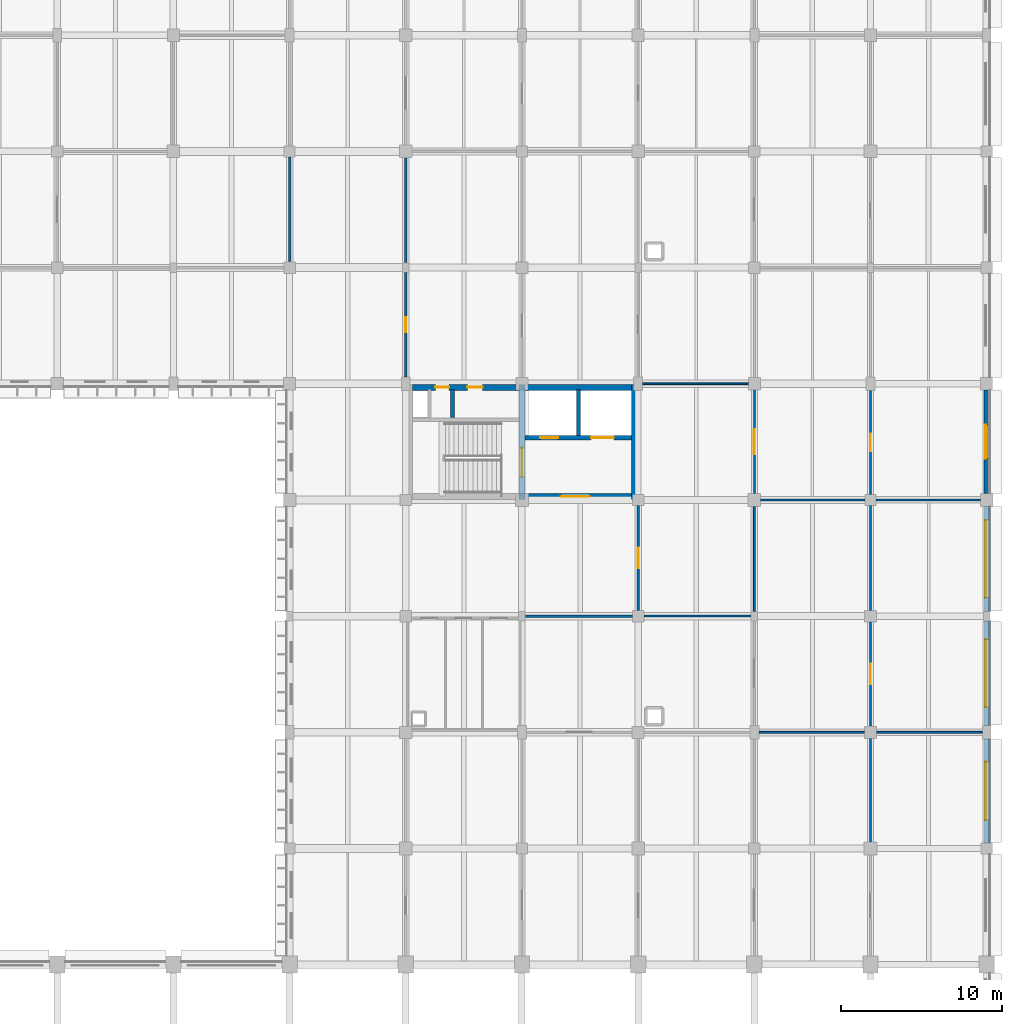
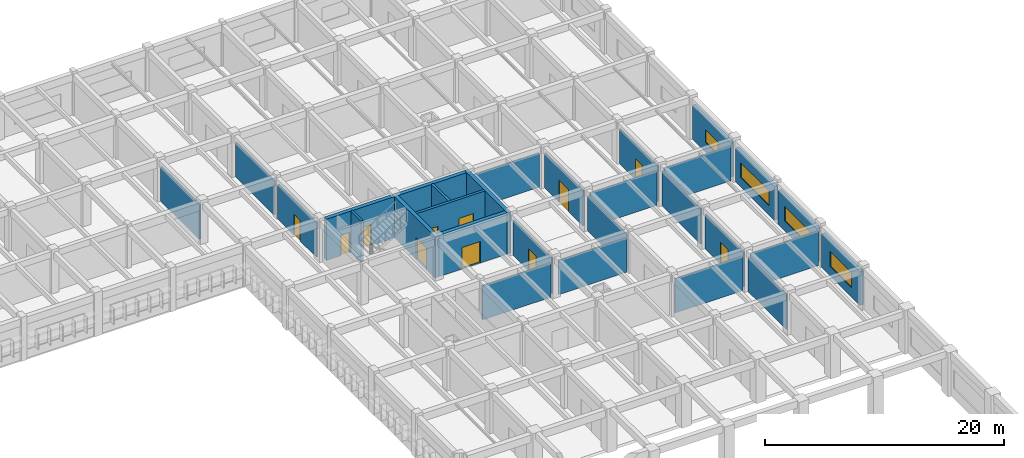
# One storey, part 51 of 61: 29 walls, 11 doors, 4 windows, 15 openings.
"""IFC4 building model written with IfcOpenShell, lengths in metres."""

from ifc_helpers import new_model, si_unit, direction, frame, frame_2d, origin, place, context, subcontext, project, spatial, rectangle, extrude, material, layer, layer_set, type_object, element, fill, save


model = new_model("IFC4")

# Units and contexts
model_context = context("Model", 3, precision=1e-05, world=origin(), true_north=direction((0.0, 1.0)))
body_context = subcontext(model_context, "Body", "Model", "MODEL_VIEW")
ifc_project = project(units=[si_unit("LENGTHUNIT", "METRE"), si_unit("AREAUNIT", "SQUARE_METRE"), si_unit("VOLUMEUNIT", "CUBIC_METRE"), si_unit("PLANEANGLEUNIT", "RADIAN"), si_unit("MASSUNIT", "GRAM", prefix="KILO")], contexts=[model_context])

# Site, building, storey
site_placement = place(None, origin())
site = spatial("IfcSite", under=ifc_project, at=site_placement, CompositionType="ELEMENT")
building_placement = place(site_placement, origin())
building = spatial("IfcBuilding", under=site, at=building_placement, Name="Thalmaran Polytechnic", CompositionType="ELEMENT")
storey_placement = place(building_placement, frame((0.0, 0.0, 9.89990234375)))
storey = spatial("IfcBuildingStorey", under=building, at=storey_placement, Name="L02", CompositionType="ELEMENT", Elevation=9.89990234375)

# Wall, opening, window
ifc_material_1 = material(Name="Precast concrete C40/50", Category="concrete")
ifc_layer_1 = layer(ifc_material_1, 0.330078125, Name="Precast concrete C40/50")
ifc_layer_set_1 = layer_set([ifc_layer_1], Name="Precast concrete C40/50")
wall_type_1 = type_object("IfcWallType", Name="WL-EW02", PredefinedType="STANDARD", material=ifc_layer_set_1)
wall_1_placement = place(storey_placement, frame((172.800048828125, 93.22509765625, 0.0), z_axis=(0.0, 0.0, 1.0), x_axis=(0.0, -1.0, 0.0)))
wall_1 = element("IfcWall", 1, at=wall_1_placement, inside=storey, type_object=wall_type_1, Name="Exterior Precast Facade Wall L02-056", PredefinedType="STANDARD", context=body_context, shape_type="SweptSolid", body=[
    extrude(rectangle(XDim=6.43505859375, YDim=0.330078125, at=frame_2d((3.217529296875, 0.0))), origin(), (0.0, 0.0, 1.0), 3.47021484375),
])
opening_1_placement = place(wall_1_placement, frame((2.16748046875, 0.0, 0.97998046875)))
opening_1 = element("IfcOpeningElement", 2, at=opening_1_placement, cuts=wall_1, Name="Opening VW20", PredefinedType="OPENING", context=body_context, shape_type="SweptSolid", body=[
    extrude(rectangle(XDim=2.10009765625, YDim=1.300048828125, at=frame_2d((1.050048828125, 0.64990234375))), frame((0.0, 0.175048828125, 0.0), z_axis=(0.0, -1.0, 0.0), x_axis=(1.0, 0.0, 0.0)), (0.0, 0.0, 1.0), 0.35009765625),
])
ifc_material_2 = material(Name="Thermally broken aluminium and double low-E glass", Category="aluminium")
window_type_1 = type_object("IfcWindowType", Name="WN-VZ20", PartitioningType="SINGLE_PANEL", PredefinedType="WINDOW", material=ifc_material_2)
window_1_placement = place(opening_1_placement, origin())
window_1 = element("IfcWindow", 3, at=window_1_placement, inside=storey, type_object=window_type_1, Name="Streamline Ribbon Window W-0256", OverallHeight=1.300048828125, OverallWidth=2.10009765625, PartitioningType="SINGLE_PANEL", PredefinedType="WINDOW", context=body_context, shape_type="SweptSolid", body=[
    extrude(rectangle(XDim=2.10009765625, YDim=1.300048828125, at=frame_2d((1.050048828125, 0.64990234375))), frame((0.0, -0.030029296875, 0.0), z_axis=(0.0, -1.0, 0.0), x_axis=(1.0, 0.0, 0.0)), (0.0, 0.0, 1.0), 0.06005859375),
])
fill(opening_1, window_1)

wall_2_placement = place(storey_placement, frame((172.800048828125, 86.010009765625, 0.0), z_axis=(0.0, 0.0, 1.0), x_axis=(0.0, -1.0, 0.0)))
wall_2 = element("IfcWall", 4, at=wall_2_placement, inside=storey, type_object=wall_type_1, Name="Exterior Precast Facade Wall L02-057", PredefinedType="STANDARD", context=body_context, shape_type="SweptSolid", body=[
    extrude(rectangle(XDim=6.510009765625, YDim=0.330078125, at=frame_2d((3.2548828125, 0.0))), origin(), (0.0, 0.0, 1.0), 3.47021484375),
])
opening_2_placement = place(wall_2_placement, frame((0.85498046875, 0.0, 0.97998046875)))
opening_2 = element("IfcOpeningElement", 5, at=opening_2_placement, cuts=wall_2, Name="Opening RW01", PredefinedType="OPENING", context=body_context, shape_type="SweptSolid", body=[
    extrude(rectangle(XDim=4.800048828125, YDim=1.5, at=frame_2d((2.39990234375, 0.75))), frame((0.0, 0.175048828125, 0.0), z_axis=(0.0, -1.0, 0.0), x_axis=(1.0, 0.0, 0.0)), (0.0, 0.0, 1.0), 0.35009765625),
])
window_type_2 = type_object("IfcWindowType", Name="WN-RW01", PartitioningType="TRIPLE_PANEL_HORIZONTAL", PredefinedType="WINDOW", material=ifc_material_2)
window_2_placement = place(opening_2_placement, origin())
window_2 = element("IfcWindow", 6, at=window_2_placement, inside=storey, type_object=window_type_2, Name="Streamline Ribbon Window W-0257", OverallHeight=1.5, OverallWidth=4.800048828125, PartitioningType="SINGLE_PANEL", PredefinedType="WINDOW", context=body_context, shape_type="SweptSolid", body=[
    extrude(rectangle(XDim=4.800048828125, YDim=1.5, at=frame_2d((2.39990234375, 0.75))), frame((0.0, -0.030029296875, 0.0), z_axis=(0.0, -1.0, 0.0), x_axis=(1.0, 0.0, 0.0)), (0.0, 0.0, 1.0), 0.06005859375),
])
fill(opening_2, window_2)

wall_3_placement = place(storey_placement, frame((172.800048828125, 78.89990234375, 0.0), z_axis=(0.0, 0.0, 1.0), x_axis=(0.0, -1.0, 0.0)))
wall_3 = element("IfcWall", 7, at=wall_3_placement, inside=storey, type_object=wall_type_1, Name="Exterior Precast Facade Wall L02-058", PredefinedType="STANDARD", context=body_context, shape_type="SweptSolid", body=[
    extrude(rectangle(XDim=6.474853515625, YDim=0.330078125, at=frame_2d((3.2373046875, 0.0))), origin(), (0.0, 0.0, 1.0), 3.47021484375),
])
opening_3_placement = place(wall_3_placement, frame((1.137451171875, 0.0, 0.97998046875)))
opening_3 = element("IfcOpeningElement", 8, at=opening_3_placement, cuts=wall_3, Name="Opening RW02", PredefinedType="OPENING", context=body_context, shape_type="SweptSolid", body=[
    extrude(rectangle(XDim=4.199951171875, YDim=1.5, at=frame_2d((2.10009765625, 0.75))), frame((0.0, 0.175048828125, 0.0), z_axis=(0.0, -1.0, 0.0), x_axis=(1.0, 0.0, 0.0)), (0.0, 0.0, 1.0), 0.35009765625),
])
window_type_3 = type_object("IfcWindowType", Name="WN-RW02", PartitioningType="TRIPLE_PANEL_HORIZONTAL", PredefinedType="WINDOW", material=ifc_material_2)
window_3_placement = place(opening_3_placement, origin())
window_3 = element("IfcWindow", 9, at=window_3_placement, inside=storey, type_object=window_type_3, Name="Streamline Ribbon Window W-0258", OverallHeight=1.5, OverallWidth=4.199951171875, PartitioningType="SINGLE_PANEL", PredefinedType="WINDOW", context=body_context, shape_type="SweptSolid", body=[
    extrude(rectangle(XDim=4.199951171875, YDim=1.5, at=frame_2d((2.10009765625, 0.75))), frame((0.0, -0.030029296875, 0.0), z_axis=(0.0, -1.0, 0.0), x_axis=(1.0, 0.0, 0.0)), (0.0, 0.0, 1.0), 0.06005859375),
])
fill(opening_3, window_3)

wall_4_placement = place(storey_placement, frame((172.800048828125, 71.574951171875, 0.0), z_axis=(0.0, 0.0, 1.0), x_axis=(0.0, -1.0, 0.0)))
wall_4 = element("IfcWall", 10, at=wall_4_placement, inside=storey, type_object=wall_type_1, Name="Exterior Precast Facade Wall L02-059", PredefinedType="STANDARD", context=body_context, shape_type="SweptSolid", body=[
    extrude(rectangle(XDim=6.425048828125, YDim=0.330078125, at=frame_2d((3.21240234375, 0.0))), origin(), (0.0, 0.0, 1.0), 3.47021484375),
])
opening_4_placement = place(wall_4_placement, frame((1.41259765625, 0.0, 0.97998046875)))
opening_4 = element("IfcOpeningElement", 11, at=opening_4_placement, cuts=wall_4, Name="Opening RW03", PredefinedType="OPENING", context=body_context, shape_type="SweptSolid", body=[
    extrude(rectangle(XDim=3.60009765625, YDim=1.5, at=frame_2d((1.800048828125, 0.75))), frame((0.0, 0.175048828125, 0.0), z_axis=(0.0, -1.0, 0.0), x_axis=(1.0, 0.0, 0.0)), (0.0, 0.0, 1.0), 0.35009765625),
])
window_type_4 = type_object("IfcWindowType", Name="WN-RW03", PartitioningType="DOUBLE_PANEL_VERTICAL", PredefinedType="WINDOW", material=ifc_material_2)
window_4_placement = place(opening_4_placement, origin())
window_4 = element("IfcWindow", 12, at=window_4_placement, inside=storey, type_object=window_type_4, Name="Streamline Ribbon Window W-0259", OverallHeight=1.5, OverallWidth=3.60009765625, PartitioningType="SINGLE_PANEL", PredefinedType="WINDOW", context=body_context, shape_type="SweptSolid", body=[
    extrude(rectangle(XDim=3.60009765625, YDim=1.5, at=frame_2d((1.800048828125, 0.75))), frame((0.0, -0.030029296875, 0.0), z_axis=(0.0, -1.0, 0.0), x_axis=(1.0, 0.0, 0.0)), (0.0, 0.0, 1.0), 0.06005859375),
])
fill(opening_4, window_4)

# Walls
ifc_material_3 = material(Name="Autoclaved aerated masonry", Category="masonry")
ifc_layer_2 = layer(ifc_material_3, 0.25, Name="Autoclaved aerated masonry")
ifc_layer_set_2 = layer_set([ifc_layer_2], Name="Autoclaved aerated masonry")
wall_type_2 = type_object("IfcWallType", Name="WL-IW01", PredefinedType="PARTITIONING", material=ifc_layer_set_2)
wall_5_placement = place(storey_placement, frame((147.5, 90.3798828125, 0.0), z_axis=(0.0, 0.0, 1.0), x_axis=(0.0, 1.0, 0.0)))
element("IfcWall", 13, at=wall_5_placement, inside=storey, type_object=wall_type_2, Name="Core C5 Shaft Dividing Wall L02", PredefinedType="PARTITIONING", context=body_context, shape_type="SweptSolid", body=[
    extrude(rectangle(XDim=2.8701171875, YDim=0.25, at=frame_2d((1.43505859375, 0.0))), origin(), (0.0, 0.0, 1.0), 4.22509765625),
])
ifc_layer_3 = layer(ifc_material_3, 0.22998046875, Name="Autoclaved aerated masonry")
ifc_layer_set_3 = layer_set([ifc_layer_3], Name="Autoclaved aerated masonry")
wall_type_3 = type_object("IfcWallType", Name="WL-IW02", PredefinedType="PARTITIONING", material=ifc_layer_set_3)
wall_6_placement = place(storey_placement, frame((139.699951171875, 91.5, 0.0), z_axis=(0.0, 0.0, 1.0), x_axis=(0.0, 1.0, 0.0)))
element("IfcWall", 14, at=wall_6_placement, inside=storey, type_object=wall_type_3, Name="Core C5 Riser Partition L02", PredefinedType="PARTITIONING", context=body_context, shape_type="SweptSolid", body=[
    extrude(rectangle(XDim=1.739990234375, YDim=0.22998046875, at=frame_2d((0.8701171875, 0.0))), origin(), (0.0, 0.0, 1.0), 4.22509765625),
])
ifc_material_4 = material(Name="Gypsum acoustic partition")
ifc_layer_4 = layer(ifc_material_4, 0.14501953125, Name="Gypsum acoustic partition")
ifc_layer_set_4 = layer_set([ifc_layer_4], Name="Gypsum acoustic partition")
wall_type_4 = type_object("IfcWallType", Name="WL-IW06", PredefinedType="PARTITIONING", material=ifc_layer_set_4)
wall_7_placement = place(storey_placement, frame((129.60009765625, 101.1650390625, 0.0), z_axis=(0.0, 0.0, 1.0), x_axis=(0.0, 1.0, 0.0)))
element("IfcWall", 15, at=wall_7_placement, inside=storey, type_object=wall_type_4, Name="Interior Partition IW06 L02-109", PredefinedType="PARTITIONING", context=body_context, shape_type="SweptSolid", body=[
    extrude(rectangle(XDim=6.47998046875, YDim=0.14501953125, at=frame_2d((3.239990234375, 0.0))), origin(), (0.0, 0.0, 1.0), 3.530029296875),
])

# Wall, opening, door
wall_8_placement = place(storey_placement, frame((136.800048828125, 94.030029296875, 0.0), z_axis=(0.0, 0.0, 1.0), x_axis=(0.0, 1.0, 0.0)))
wall_8 = element("IfcWall", 16, at=wall_8_placement, inside=storey, type_object=wall_type_4, Name="Interior Partition IW06 L02-115", PredefinedType="PARTITIONING", context=body_context, shape_type="SweptSolid", body=[
    extrude(rectangle(XDim=6.465087890625, YDim=0.14501953125, at=frame_2d((3.232421875, 0.0))), origin(), (0.0, 0.0, 1.0), 3.5400390625),
])
opening_5_placement = place(wall_8_placement, frame((2.757568359375, 0.0, 0.0)))
opening_5 = element("IfcOpeningElement", 17, at=opening_5_placement, cuts=wall_8, Name="Opening D-L02-034-5-02-1", PredefinedType="OPENING", context=body_context, shape_type="SweptSolid", body=[
    extrude(rectangle(XDim=0.949951171875, YDim=2.14990234375, at=frame_2d((0.47509765625, 1.074951171875))), frame((0.0, 0.08251953125, 0.0), z_axis=(0.0, -1.0, 0.0), x_axis=(1.0, 0.0, 0.0)), (0.0, 0.0, 1.0), 0.1650390625),
])
ifc_material_5 = material(Name="Powder-coated fire-rated steel", Category="steel")
door_type_1 = type_object("IfcDoorType", Name="DR-FD08", OperationType="NOTDEFINED", PredefinedType="DOOR", material=ifc_material_5)
door_1_placement = place(opening_5_placement, origin())
door_1 = element("IfcDoor", 18, at=door_1_placement, inside=storey, type_object=door_type_1, Name="Seminar Room L02-02 Door 1", OperationType="SINGLE_SWING_LEFT", OverallHeight=2.14990234375, OverallWidth=0.949951171875, PredefinedType="DOOR", context=body_context, shape_type="SweptSolid", body=[
    extrude(rectangle(XDim=0.949951171875, YDim=2.14990234375, at=frame_2d((0.47509765625, 1.074951171875))), frame((0.0, 0.02490234375, 0.0), z_axis=(0.0, -1.0, 0.0), x_axis=(1.0, 0.0, 0.0)), (0.0, 0.0, 1.0), 0.050048828125),
])
fill(opening_5, door_1)

# Walls
wall_9_placement = place(storey_placement, frame((136.800048828125, 101.10498046875, 0.0), z_axis=(0.0, 0.0, 1.0), x_axis=(0.0, 1.0, 0.0)))
element("IfcWall", 19, at=wall_9_placement, inside=storey, type_object=wall_type_4, Name="Interior Partition IW06 L02-116", PredefinedType="PARTITIONING", context=body_context, shape_type="SweptSolid", body=[
    extrude(rectangle(XDim=6.5, YDim=0.14501953125, at=frame_2d((3.25, 0.0))), origin(), (0.0, 0.0, 1.0), 3.5400390625),
])
wall_10_placement = place(storey_placement, frame((144.205078125, 79.199951171875, 0.0), z_axis=(0.0, 0.0, 1.0), x_axis=(1.0, 0.0, 0.0)))
element("IfcWall", 20, at=wall_10_placement, inside=storey, type_object=wall_type_4, Name="Interior Partition IW06 L02-129", PredefinedType="PARTITIONING", context=body_context, shape_type="SweptSolid", body=[
    extrude(rectangle(XDim=6.6298828125, YDim=0.14501953125, at=frame_2d((3.31494140625, 0.0))), origin(), (0.0, 0.0, 1.0), 3.485107421875),
])

# Wall, opening, door
wall_11_placement = place(storey_placement, frame((151.199951171875, 79.56494140625, 0.0), z_axis=(0.0, 0.0, 1.0), x_axis=(0.0, 1.0, 0.0)))
wall_11 = element("IfcWall", 21, at=wall_11_placement, inside=storey, type_object=wall_type_4, Name="Interior Partition IW06 L02-130", PredefinedType="PARTITIONING", context=body_context, shape_type="SweptSolid", body=[
    extrude(rectangle(XDim=6.47998046875, YDim=0.14501953125, at=frame_2d((3.239990234375, 0.0))), origin(), (0.0, 0.0, 1.0), 3.59521484375),
])
opening_6_placement = place(wall_11_placement, frame((2.60009765625, 0.0, 0.0)))
opening_6 = element("IfcOpeningElement", 22, at=opening_6_placement, cuts=wall_11, Name="Opening D-L02-041-5-09-1", PredefinedType="OPENING", context=body_context, shape_type="SweptSolid", body=[
    extrude(rectangle(XDim=1.280029296875, YDim=2.239990234375, at=frame_2d((0.64013671875, 1.1201171875))), frame((0.0, 0.08251953125, 0.0), z_axis=(0.0, -1.0, 0.0), x_axis=(1.0, 0.0, 0.0)), (0.0, 0.0, 1.0), 0.1650390625),
])
door_type_2 = type_object("IfcDoorType", Name="DR-ZD10", OperationType="NOTDEFINED", PredefinedType="DOOR", material=ifc_material_5)
door_2_placement = place(opening_6_placement, origin())
door_2 = element("IfcDoor", 23, at=door_2_placement, inside=storey, type_object=door_type_2, Name="Process Engineering Laboratory L02-09 Door 1", OperationType="SINGLE_SWING_RIGHT", OverallHeight=2.239990234375, OverallWidth=1.280029296875, PredefinedType="DOOR", context=body_context, shape_type="SweptSolid", body=[
    extrude(rectangle(XDim=1.280029296875, YDim=2.239990234375, at=frame_2d((0.64013671875, 1.1201171875))), frame((0.0, 0.02490234375, 0.0), z_axis=(0.0, -1.0, 0.0), x_axis=(1.0, 0.0, 0.0)), (0.0, 0.0, 1.0), 0.050048828125),
])
fill(opening_6, door_2)

# Wall
ifc_layer_5 = layer(ifc_material_4, 0.1298828125, Name="Gypsum acoustic partition")
ifc_layer_set_5 = layer_set([ifc_layer_5], Name="Gypsum acoustic partition")
wall_type_5 = type_object("IfcWallType", Name="WL-IW07", PredefinedType="PARTITIONING", material=ifc_layer_set_5)
wall_12_placement = place(storey_placement, frame((151.56494140625, 79.199951171875, 0.0), z_axis=(0.0, 0.0, 1.0), x_axis=(1.0, 0.0, 0.0)))
element("IfcWall", 24, at=wall_12_placement, inside=storey, type_object=wall_type_5, Name="Interior Partition IW07 L02-140", PredefinedType="PARTITIONING", context=body_context, shape_type="SweptSolid", body=[
    extrude(rectangle(XDim=6.630126953125, YDim=0.1298828125, at=frame_2d((3.31494140625, 0.0))), origin(), (0.0, 0.0, 1.0), 3.5),
])

# Wall, opening, door
wall_13_placement = place(storey_placement, frame((158.39990234375, 86.794921875, 0.0), z_axis=(0.0, 0.0, 1.0), x_axis=(0.0, 1.0, 0.0)))
wall_13 = element("IfcWall", 25, at=wall_13_placement, inside=storey, type_object=wall_type_5, Name="Interior Partition IW07 L02-142", PredefinedType="PARTITIONING", context=body_context, shape_type="SweptSolid", body=[
    extrude(rectangle(XDim=6.425048828125, YDim=0.1298828125, at=frame_2d((3.21240234375, 0.0))), origin(), (0.0, 0.0, 1.0), 3.590087890625),
])
opening_7_placement = place(wall_13_placement, frame((2.4326171875, 0.0, 0.0)))
opening_7 = element("IfcOpeningElement", 26, at=opening_7_placement, cuts=wall_13, Name="Opening D-L02-046-5-14-1", PredefinedType="OPENING", context=body_context, shape_type="SweptSolid", body=[
    extrude(rectangle(XDim=1.56005859375, YDim=2.25, at=frame_2d((0.780029296875, 1.125))), frame((0.0, 0.074951171875, 0.0), z_axis=(0.0, -1.0, 0.0), x_axis=(1.0, 0.0, 0.0)), (0.0, 0.0, 1.0), 0.14990234375),
])
ifc_material_6 = material(Name="Acoustic hardwood and vision glass", Category="wood")
door_type_3 = type_object("IfcDoorType", Name="DR-ZD03", OperationType="NOTDEFINED", PredefinedType="DOOR", material=ifc_material_6)
door_3_placement = place(opening_7_placement, origin())
door_3 = element("IfcDoor", 27, at=door_3_placement, inside=storey, type_object=door_type_3, Name="Seminar Room L02-14 Door 1", OperationType="SINGLE_SWING_LEFT", OverallHeight=2.25, OverallWidth=1.56005859375, PredefinedType="DOOR", context=body_context, shape_type="SweptSolid", body=[
    extrude(rectangle(XDim=1.56005859375, YDim=2.25, at=frame_2d((0.780029296875, 1.125))), frame((0.0, 0.02490234375, 0.0), z_axis=(0.0, -1.0, 0.0), x_axis=(1.0, 0.0, 0.0)), (0.0, 0.0, 1.0), 0.050048828125),
])
fill(opening_7, door_3)

# Wall
wall_14_placement = place(storey_placement, frame((165.60009765625, 65.195068359375, 0.0), z_axis=(0.0, 0.0, 1.0), x_axis=(0.0, 1.0, 0.0)))
element("IfcWall", 28, at=wall_14_placement, inside=storey, type_object=wall_type_5, Name="Interior Partition IW07 L02-150", PredefinedType="PARTITIONING", context=body_context, shape_type="SweptSolid", body=[
    extrude(rectangle(XDim=6.425048828125, YDim=0.1298828125, at=frame_2d((3.21240234375, 0.0))), origin(), (0.0, 0.0, 1.0), 3.530029296875),
])

# Wall, opening, door
wall_15_placement = place(storey_placement, frame((165.60009765625, 72.3798828125, 0.0), z_axis=(0.0, 0.0, 1.0), x_axis=(0.0, 1.0, 0.0)))
wall_15 = element("IfcWall", 29, at=wall_15_placement, inside=storey, type_object=wall_type_5, Name="Interior Partition IW07 L02-152", PredefinedType="PARTITIONING", context=body_context, shape_type="SweptSolid", body=[
    extrude(rectangle(XDim=6.455078125, YDim=0.1298828125, at=frame_2d((3.2275390625, 0.0))), origin(), (0.0, 0.0, 1.0), 3.530029296875),
])
opening_8_placement = place(wall_15_placement, frame((2.58740234375, 0.0, 0.0)))
opening_8 = element("IfcOpeningElement", 30, at=opening_8_placement, cuts=wall_15, Name="Opening D-L02-050-5-18-1", PredefinedType="OPENING", context=body_context, shape_type="SweptSolid", body=[
    extrude(rectangle(XDim=1.280029296875, YDim=2.239990234375, at=frame_2d((0.64013671875, 1.1201171875))), frame((0.0, 0.074951171875, 0.0), z_axis=(0.0, -1.0, 0.0), x_axis=(1.0, 0.0, 0.0)), (0.0, 0.0, 1.0), 0.14990234375),
])
door_4_placement = place(opening_8_placement, origin())
door_4 = element("IfcDoor", 31, at=door_4_placement, inside=storey, type_object=door_type_2, Name="Photonics and Electronics Laboratory L02-18 Door 1", OperationType="SINGLE_SWING_LEFT", OverallHeight=2.239990234375, OverallWidth=1.280029296875, PredefinedType="DOOR", context=body_context, shape_type="SweptSolid", body=[
    extrude(rectangle(XDim=1.280029296875, YDim=2.239990234375, at=frame_2d((0.64013671875, 1.1201171875))), frame((0.0, 0.02490234375, 0.0), z_axis=(0.0, -1.0, 0.0), x_axis=(1.0, 0.0, 0.0)), (0.0, 0.0, 1.0), 0.050048828125),
])
fill(opening_8, door_4)

# Walls
wall_16_placement = place(storey_placement, frame((158.794921875, 86.39990234375, 0.0), z_axis=(0.0, 0.0, 1.0), x_axis=(1.0, 0.0, 0.0)))
element("IfcWall", 32, at=wall_16_placement, inside=storey, type_object=wall_type_5, Name="Interior Partition IW07 L02-154", PredefinedType="PARTITIONING", context=body_context, shape_type="SweptSolid", body=[
    extrude(rectangle(XDim=6.4501953125, YDim=0.1298828125, at=frame_2d((3.22509765625, 0.0))), origin(), (0.0, 0.0, 1.0), 3.505126953125),
])
wall_17_placement = place(storey_placement, frame((165.955078125, 86.39990234375, 0.0), z_axis=(0.0, 0.0, 1.0), x_axis=(1.0, 0.0, 0.0)))
element("IfcWall", 33, at=wall_17_placement, inside=storey, type_object=wall_type_5, Name="Interior Partition IW07 L02-162", PredefinedType="PARTITIONING", context=body_context, shape_type="SweptSolid", body=[
    extrude(rectangle(XDim=6.449951171875, YDim=0.1298828125, at=frame_2d((3.22509765625, 0.0))), origin(), (0.0, 0.0, 1.0), 3.525146484375),
])
ifc_layer_6 = layer(ifc_material_4, 0.114990234375, Name="Gypsum acoustic partition")
ifc_layer_set_6 = layer_set([ifc_layer_6], Name="Gypsum acoustic partition")
wall_type_6 = type_object("IfcWallType", Name="WL-IW08", PredefinedType="PARTITIONING", material=ifc_layer_set_6)
wall_18_placement = place(storey_placement, frame((158.39990234375, 79.5048828125, 0.0), z_axis=(0.0, 0.0, 1.0), x_axis=(0.0, 1.0, 0.0)))
element("IfcWall", 34, at=wall_18_placement, inside=storey, type_object=wall_type_6, Name="Interior Partition IW08 L02-141", PredefinedType="PARTITIONING", context=body_context, shape_type="SweptSolid", body=[
    extrude(rectangle(XDim=6.5, YDim=0.114990234375, at=frame_2d((3.25, 0.0))), origin(), (0.0, 0.0, 1.0), 3.59521484375),
])
wall_19_placement = place(storey_placement, frame((151.47998046875, 93.60009765625, 0.0), z_axis=(0.0, 0.0, 1.0), x_axis=(1.0, 0.0, 0.0)))
element("IfcWall", 35, at=wall_19_placement, inside=storey, type_object=wall_type_6, Name="Interior Partition IW08 L02-143", PredefinedType="PARTITIONING", context=body_context, shape_type="SweptSolid", body=[
    extrude(rectangle(XDim=6.5400390625, YDim=0.114990234375, at=frame_2d((3.27001953125, 0.0))), origin(), (0.0, 0.0, 1.0), 3.5),
])
wall_20_placement = place(storey_placement, frame((158.679931640625, 72.0, 0.0), z_axis=(0.0, 0.0, 1.0), x_axis=(1.0, 0.0, 0.0)))
element("IfcWall", 36, at=wall_20_placement, inside=storey, type_object=wall_type_6, Name="Interior Partition IW08 L02-151", PredefinedType="PARTITIONING", context=body_context, shape_type="SweptSolid", body=[
    extrude(rectangle(XDim=6.5400390625, YDim=0.114990234375, at=frame_2d((3.27001953125, 0.0))), origin(), (0.0, 0.0, 1.0), 3.505126953125),
])
wall_21_placement = place(storey_placement, frame((165.60009765625, 79.56494140625, 0.0), z_axis=(0.0, 0.0, 1.0), x_axis=(0.0, 1.0, 0.0)))
element("IfcWall", 37, at=wall_21_placement, inside=storey, type_object=wall_type_6, Name="Interior Partition IW08 L02-153", PredefinedType="PARTITIONING", context=body_context, shape_type="SweptSolid", body=[
    extrude(rectangle(XDim=6.47998046875, YDim=0.114990234375, at=frame_2d((3.239990234375, 0.0))), origin(), (0.0, 0.0, 1.0), 3.59521484375),
])

# Wall, opening, door
wall_22_placement = place(storey_placement, frame((165.60009765625, 86.7548828125, 0.0), z_axis=(0.0, 0.0, 1.0), x_axis=(0.0, 1.0, 0.0)))
wall_22 = element("IfcWall", 38, at=wall_22_placement, inside=storey, type_object=wall_type_6, Name="Interior Partition IW08 L02-155", PredefinedType="PARTITIONING", context=body_context, shape_type="SweptSolid", body=[
    extrude(rectangle(XDim=6.4150390625, YDim=0.114990234375, at=frame_2d((3.20751953125, 0.0))), origin(), (0.0, 0.0, 1.0), 3.590087890625),
])
opening_9_placement = place(wall_22_placement, frame((2.657470703125, 0.0, 0.0)))
opening_9 = element("IfcOpeningElement", 39, at=opening_9_placement, cuts=wall_22, Name="Opening D-L02-051-5-19-1", PredefinedType="OPENING", context=body_context, shape_type="SweptSolid", body=[
    extrude(rectangle(XDim=1.10009765625, YDim=2.14990234375, at=frame_2d((0.550048828125, 1.074951171875))), frame((0.0, 0.0673828125, 0.0), z_axis=(0.0, -1.0, 0.0), x_axis=(1.0, 0.0, 0.0)), (0.0, 0.0, 1.0), 0.135009765625),
])
door_type_4 = type_object("IfcDoorType", Name="DR-FD07", OperationType="NOTDEFINED", PredefinedType="DOOR", material=ifc_material_5)
door_5_placement = place(opening_9_placement, origin())
door_5 = element("IfcDoor", 40, at=door_5_placement, inside=storey, type_object=door_type_4, Name="Product Design Studio L02-19 Door 1", OperationType="SINGLE_SWING_RIGHT", OverallHeight=2.14990234375, OverallWidth=1.10009765625, PredefinedType="DOOR", context=body_context, shape_type="SweptSolid", body=[
    extrude(rectangle(XDim=1.10009765625, YDim=2.14990234375, at=frame_2d((0.550048828125, 1.074951171875))), frame((0.0, 0.02490234375, 0.0), z_axis=(0.0, -1.0, 0.0), x_axis=(1.0, 0.0, 0.0)), (0.0, 0.0, 1.0), 0.050048828125),
])
fill(opening_9, door_5)

# Wall
wall_23_placement = place(storey_placement, frame((165.97998046875, 72.0, 0.0), z_axis=(0.0, 0.0, 1.0), x_axis=(1.0, 0.0, 0.0)))
element("IfcWall", 41, at=wall_23_placement, inside=storey, type_object=wall_type_6, Name="Interior Partition IW08 L02-161", PredefinedType="PARTITIONING", context=body_context, shape_type="SweptSolid", body=[
    extrude(rectangle(XDim=6.5400390625, YDim=0.114990234375, at=frame_2d((3.27001953125, 0.0))), origin(), (0.0, 0.0, 1.0), 3.525146484375),
])

# Wall, openings, doors
ifc_material_7 = material(Name="Concrete C50/60", Category="concrete")
ifc_layer_7 = layer(ifc_material_7, 0.3798828125, Name="Concrete C50/60")
ifc_layer_set_7 = layer_set([ifc_layer_7], Name="Concrete C50/60")
wall_type_7 = type_object("IfcWallType", Name="WL-SW02", PredefinedType="SHEAR", material=ifc_layer_set_7)
wall_24_placement = place(storey_placement, frame((137.2099609375, 93.3798828125, 0.0), z_axis=(0.0, 0.0, 1.0), x_axis=(1.0, 0.0, 0.0)))
wall_24 = element("IfcWall", 42, at=wall_24_placement, inside=storey, type_object=wall_type_7, Name="Core C5 North Shear Wall L02", PredefinedType="SHEAR", context=body_context, shape_type="SweptSolid", body=[
    extrude(rectangle(XDim=6.60009765625, YDim=0.3798828125, at=frame_2d((3.300048828125, 0.0))), origin(), (0.0, 0.0, 1.0), 4.22509765625),
])
opening_10_placement = place(wall_24_placement, frame((1.419921875, 0.0, 0.0)))
opening_10 = element("IfcOpeningElement", 43, at=opening_10_placement, cuts=wall_24, Name="Opening DR-C5-L02-R", PredefinedType="OPENING", context=body_context, shape_type="SweptSolid", body=[
    extrude(rectangle(XDim=0.85009765625, YDim=2.10009765625, at=frame_2d((0.425048828125, 1.050048828125))), frame((0.0, 0.199951171875, 0.0), z_axis=(0.0, -1.0, 0.0), x_axis=(1.0, 0.0, 0.0)), (0.0, 0.0, 1.0), 0.39990234375),
])
opening_11_placement = place(wall_24_placement, frame((3.39990234375, 0.0, 0.0)))
opening_11 = element("IfcOpeningElement", 44, at=opening_11_placement, cuts=wall_24, Name="Opening ED-C5-L02-E", PredefinedType="OPENING", context=body_context, shape_type="SweptSolid", body=[
    extrude(rectangle(XDim=0.949951171875, YDim=2.14990234375, at=frame_2d((0.47509765625, 1.074951171875))), frame((0.0, 0.199951171875, 0.0), z_axis=(0.0, -1.0, 0.0), x_axis=(1.0, 0.0, 0.0)), (0.0, 0.0, 1.0), 0.39990234375),
])
door_6_placement = place(opening_11_placement, origin())
door_6 = element("IfcDoor", 45, at=door_6_placement, inside=storey, type_object=door_type_1, Name="Electrical Riser Door C5 L02", OperationType="SINGLE_SWING_LEFT", OverallHeight=2.14990234375, OverallWidth=0.949951171875, PredefinedType="DOOR", context=body_context, shape_type="SweptSolid", body=[
    extrude(rectangle(XDim=0.949951171875, YDim=2.14990234375, at=frame_2d((0.47509765625, 1.074951171875))), frame((0.0, 0.02490234375, 0.0), z_axis=(0.0, -1.0, 0.0), x_axis=(1.0, 0.0, 0.0)), (0.0, 0.0, 1.0), 0.050048828125),
])
fill(opening_11, door_6)
door_type_5 = type_object("IfcDoorType", Name="DR-FD09", OperationType="NOTDEFINED", PredefinedType="DOOR", material=ifc_material_5)
door_7_placement = place(opening_10_placement, origin())
door_7 = element("IfcDoor", 46, at=door_7_placement, inside=storey, type_object=door_type_5, Name="Riser Access Fire Door C5 L02", OperationType="SINGLE_SWING_LEFT", OverallHeight=2.10009765625, OverallWidth=0.85009765625, PredefinedType="DOOR", context=body_context, shape_type="SweptSolid", body=[
    extrude(rectangle(XDim=0.85009765625, YDim=2.10009765625, at=frame_2d((0.425048828125, 1.050048828125))), frame((0.0, 0.02490234375, 0.0), z_axis=(0.0, -1.0, 0.0), x_axis=(1.0, 0.0, 0.0)), (0.0, 0.0, 1.0), 0.050048828125),
])
fill(opening_10, door_7)

# Wall, opening, door
wall_25_placement = place(storey_placement, frame((144.0, 86.429931640625, 0.0), z_axis=(0.0, 0.0, 1.0), x_axis=(0.0, 1.0, 0.0)))
wall_25 = element("IfcWall", 47, at=wall_25_placement, inside=storey, type_object=wall_type_7, Name="Core C5 Stair-Lobby Dividing Shear Wall L02", PredefinedType="SHEAR", context=body_context, shape_type="SweptSolid", body=[
    extrude(rectangle(XDim=7.14013671875, YDim=0.3798828125, at=frame_2d((3.570068359375, 0.0))), origin(), (0.0, 0.0, 1.0), 4.22509765625),
])
opening_12_placement = place(wall_25_placement, frame((1.39990234375, 0.0, 0.0)))
opening_12 = element("IfcOpeningElement", 48, at=opening_12_placement, cuts=wall_25, Name="Opening SD-ST5-L02", PredefinedType="OPENING", context=body_context, shape_type="SweptSolid", body=[
    extrude(rectangle(XDim=1.800048828125, YDim=2.199951171875, at=frame_2d((0.89990234375, 1.10009765625))), frame((0.0, 0.199951171875, 0.0), z_axis=(0.0, -1.0, 0.0), x_axis=(1.0, 0.0, 0.0)), (0.0, 0.0, 1.0), 0.39990234375),
])
door_type_6 = type_object("IfcDoorType", Name="DR-FD03", OperationType="NOTDEFINED", PredefinedType="DOOR", material=ifc_material_5)
door_8_placement = place(opening_12_placement, origin())
door_8 = element("IfcDoor", 49, at=door_8_placement, inside=storey, type_object=door_type_6, Name="Firefighting Lobby to Exit Stair Door ST5 L02", OperationType="SINGLE_SWING_RIGHT", OverallHeight=2.199951171875, OverallWidth=1.800048828125, PredefinedType="DOOR", context=body_context, shape_type="SweptSolid", body=[
    extrude(rectangle(XDim=1.800048828125, YDim=2.199951171875, at=frame_2d((0.89990234375, 1.10009765625))), frame((0.0, 0.02490234375, 0.0), z_axis=(0.0, -1.0, 0.0), x_axis=(1.0, 0.0, 0.0)), (0.0, 0.0, 1.0), 0.050048828125),
])
fill(opening_12, door_8)

wall_26_placement = place(storey_placement, frame((144.18994140625, 86.6201171875, 0.0), z_axis=(0.0, 0.0, 1.0), x_axis=(1.0, 0.0, 0.0)))
wall_26 = element("IfcWall", 50, at=wall_26_placement, inside=storey, type_object=wall_type_7, Name="Core C5 Lobby South Wall L02", PredefinedType="SHEAR", context=body_context, shape_type="SweptSolid", body=[
    extrude(rectangle(XDim=6.60009765625, YDim=0.3798828125, at=frame_2d((3.300048828125, 0.0))), origin(), (0.0, 0.0, 1.0), 4.22509765625),
])
opening_13_placement = place(wall_26_placement, frame((2.219970703125, 0.0, 0.0)))
opening_13 = element("IfcOpeningElement", 51, at=opening_13_placement, cuts=wall_26, Name="Opening FD-C5-L02", PredefinedType="OPENING", context=body_context, shape_type="SweptSolid", body=[
    extrude(rectangle(XDim=1.800048828125, YDim=2.199951171875, at=frame_2d((0.89990234375, 1.10009765625))), frame((0.0, 0.199951171875, 0.0), z_axis=(0.0, -1.0, 0.0), x_axis=(1.0, 0.0, 0.0)), (0.0, 0.0, 1.0), 0.39990234375),
])
door_type_7 = type_object("IfcDoorType", Name="DR-FD01", OperationType="NOTDEFINED", PredefinedType="DOOR", material=ifc_material_5)
door_9_placement = place(opening_13_placement, origin())
door_9 = element("IfcDoor", 52, at=door_9_placement, inside=storey, type_object=door_type_7, Name="Firefighting Lift Lobby Entrance Door C5 L02", OperationType="DOUBLE_DOOR_SINGLE_SWING", OverallHeight=2.199951171875, OverallWidth=1.800048828125, PredefinedType="DOOR", context=body_context, shape_type="SweptSolid", body=[
    extrude(rectangle(XDim=1.800048828125, YDim=2.199951171875, at=frame_2d((0.89990234375, 1.10009765625))), frame((0.0, 0.02490234375, 0.0), z_axis=(0.0, -1.0, 0.0), x_axis=(1.0, 0.0, 0.0)), (0.0, 0.0, 1.0), 0.050048828125),
])
fill(opening_13, door_9)

# Walls
wall_27_placement = place(storey_placement, frame((150.97998046875, 86.429931640625, 0.0), z_axis=(0.0, 0.0, 1.0), x_axis=(0.0, 1.0, 0.0)))
element("IfcWall", 53, at=wall_27_placement, inside=storey, type_object=wall_type_7, Name="Core C5 Lobby East Shear Wall L02", PredefinedType="SHEAR", context=body_context, shape_type="SweptSolid", body=[
    extrude(rectangle(XDim=7.14013671875, YDim=0.3798828125, at=frame_2d((3.570068359375, 0.0))), origin(), (0.0, 0.0, 1.0), 4.22509765625),
])
wall_28_placement = place(storey_placement, frame((144.18994140625, 93.3798828125, 0.0), z_axis=(0.0, 0.0, 1.0), x_axis=(1.0, 0.0, 0.0)))
element("IfcWall", 54, at=wall_28_placement, inside=storey, type_object=wall_type_7, Name="Core C5 Lift Shaft Back Shear Wall L02", PredefinedType="SHEAR", context=body_context, shape_type="SweptSolid", body=[
    extrude(rectangle(XDim=6.60009765625, YDim=0.3798828125, at=frame_2d((3.300048828125, 0.0))), origin(), (0.0, 0.0, 1.0), 4.22509765625),
])

# Wall, openings, doors
wall_29_placement = place(storey_placement, frame((144.18994140625, 90.25, 0.0), z_axis=(0.0, 0.0, 1.0), x_axis=(1.0, 0.0, 0.0)))
wall_29 = element("IfcWall", 55, at=wall_29_placement, inside=storey, type_object=wall_type_7, Name="Core C5 Lift Landing Front Wall L02", PredefinedType="SHEAR", context=body_context, shape_type="SweptSolid", body=[
    extrude(rectangle(XDim=6.60009765625, YDim=0.260009765625, at=frame_2d((3.300048828125, 0.0))), origin(), (0.0, 0.0, 1.0), 4.22509765625),
])
opening_14_placement = place(wall_29_placement, frame((0.949951171875, 0.0, 0.0)))
opening_14 = element("IfcOpeningElement", 56, at=opening_14_placement, cuts=wall_29, Name="Opening LD-PL-04-L02", PredefinedType="OPENING", context=body_context, shape_type="SweptSolid", body=[
    extrude(rectangle(XDim=1.10009765625, YDim=2.199951171875, at=frame_2d((0.550048828125, 1.10009765625))), frame((0.0, 0.139892578125, 0.0), z_axis=(0.0, -1.0, 0.0), x_axis=(1.0, 0.0, 0.0)), (0.0, 0.0, 1.0), 0.280029296875),
])
opening_15_placement = place(wall_29_placement, frame((4.10009765625, 0.0, 0.0)))
opening_15 = element("IfcOpeningElement", 57, at=opening_15_placement, cuts=wall_29, Name="Opening LD-GL-01-L02", PredefinedType="OPENING", context=body_context, shape_type="SweptSolid", body=[
    extrude(rectangle(XDim=1.39990234375, YDim=2.300048828125, at=frame_2d((0.699951171875, 1.14990234375))), frame((0.0, 0.139892578125, 0.0), z_axis=(0.0, -1.0, 0.0), x_axis=(1.0, 0.0, 0.0)), (0.0, 0.0, 1.0), 0.280029296875),
])
ifc_material_8 = material(Name="Brushed stainless steel lift door", Category="steel")
door_type_8 = type_object("IfcDoorType", Name="DR-LD01", OperationType="NOTDEFINED", PredefinedType="DOOR", material=ifc_material_8)
door_10_placement = place(opening_14_placement, origin())
door_10 = element("IfcDoor", 58, at=door_10_placement, inside=storey, type_object=door_type_8, Name="Lift Landing Door PL-04 L02", OperationType="SLIDING_TO_LEFT", OverallHeight=2.199951171875, OverallWidth=1.10009765625, PredefinedType="DOOR", context=body_context, shape_type="SweptSolid", body=[
    extrude(rectangle(XDim=1.10009765625, YDim=2.199951171875, at=frame_2d((0.550048828125, 1.10009765625))), frame((0.0, 0.02490234375, 0.0), z_axis=(0.0, -1.0, 0.0), x_axis=(1.0, 0.0, 0.0)), (0.0, 0.0, 1.0), 0.050048828125),
])
fill(opening_14, door_10)
door_type_9 = type_object("IfcDoorType", Name="DR-LD03", OperationType="NOTDEFINED", PredefinedType="DOOR", material=ifc_material_8)
door_11_placement = place(opening_15_placement, origin())
door_11 = element("IfcDoor", 59, at=door_11_placement, inside=storey, type_object=door_type_9, Name="Lift Landing Door GL-01 L02", OperationType="SLIDING_TO_RIGHT", OverallHeight=2.300048828125, OverallWidth=1.39990234375, PredefinedType="DOOR", context=body_context, shape_type="SweptSolid", body=[
    extrude(rectangle(XDim=1.39990234375, YDim=2.300048828125, at=frame_2d((0.699951171875, 1.14990234375))), frame((0.0, 0.02490234375, 0.0), z_axis=(0.0, -1.0, 0.0), x_axis=(1.0, 0.0, 0.0)), (0.0, 0.0, 1.0), 0.050048828125),
])
fill(opening_15, door_11)

save(model, "model.ifc")
